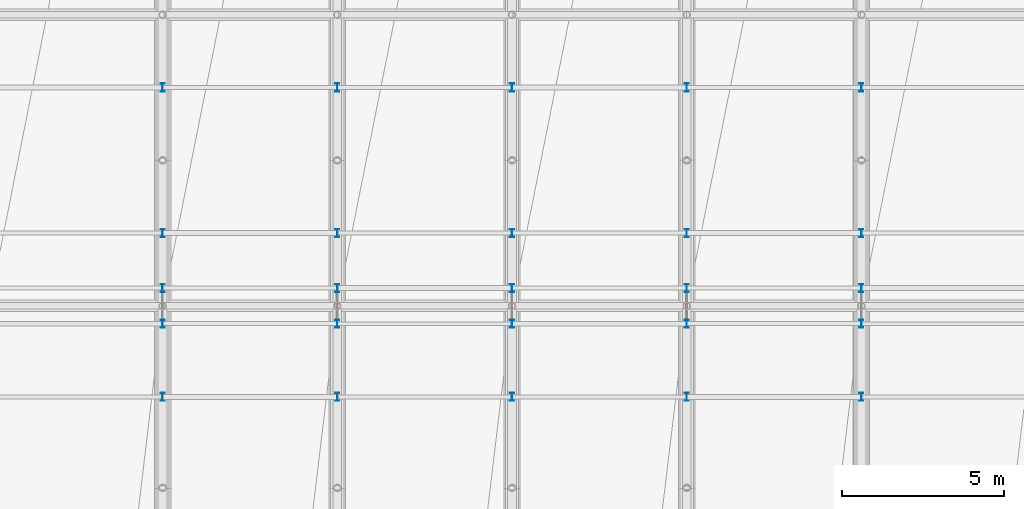
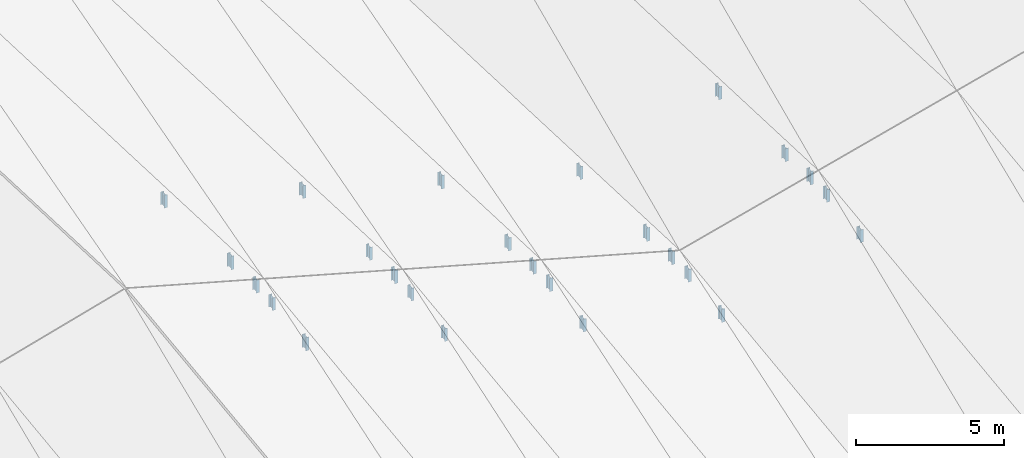
# One storey, part 69 of 109: 25 members.
"""IFC4 building model written with IfcOpenShell, lengths in metres."""

from ifc_helpers import new_model, si_unit, direction, frame, origin, origin_2d, place, context, subcontext, project, spatial, i_section, extrude, material, material_profile, profile_set, type_object, element, save


model = new_model("IFC4")

# Units and contexts
model_context = context("Model", 3, precision=1e-05, world=origin(), true_north=direction((0.0, 1.0)))
body_context = subcontext(model_context, "Body", "Model", "MODEL_VIEW")
ifc_project = project(units=[si_unit("LENGTHUNIT", "METRE"), si_unit("AREAUNIT", "SQUARE_METRE"), si_unit("VOLUMEUNIT", "CUBIC_METRE"), si_unit("PLANEANGLEUNIT", "RADIAN"), si_unit("MASSUNIT", "GRAM", prefix="KILO")], contexts=[model_context])

# Site, building, storey
site_placement = place(None, origin())
site = spatial("IfcSite", under=ifc_project, at=site_placement, CompositionType="ELEMENT")
building_placement = place(site_placement, origin())
building = spatial("IfcBuilding", under=site, at=building_placement, Name="Suirenkawa Promenade Aquatics Centre", CompositionType="ELEMENT")
storey_placement = place(building_placement, frame((0.0, 0.0, 22.800048828125)))
storey = spatial("IfcBuildingStorey", under=building, at=storey_placement, Name="ROOF", CompositionType="ELEMENT", Elevation=22.800048828125)

# Members
ifc_material = material(Name="Steel IS 2062 E350 (Grade 350)", Category="steel")
ifc_material_profile = material_profile(ifc_material, i_section(OverallWidth=0.125, OverallDepth=0.25, WebThickness=0.007080078125, FlangeThickness=0.012939453125, at=origin_2d()), Name="ISMB 250", Category="steel")
ifc_profile_set = profile_set([ifc_material_profile], Name="Steel IS 2062 E350 (Grade 350)")
member_type = type_object("IfcMemberType", Name="MT-WEB-CHS168", PredefinedType="BRACE", material=ifc_profile_set)
member_1_placement = place(storey_placement, frame((73.800048828125, 92.587890625, -5.281982421875), z_axis=(0.0, 0.0, 1.0), x_axis=(1.0, 0.0, 0.0)))
element("IfcMember", 1, at=member_1_placement, inside=storey, type_object=member_type, Name="ROOF TRUSS Purlin cleat post TD-03 MB-1848", PredefinedType="BRACE", context=body_context, shape_type="SweptSolid", body=[
    extrude(i_section(OverallWidth=0.125, OverallDepth=0.25, WebThickness=0.007080078125, FlangeThickness=0.012939453125, at=origin_2d()), origin(), (0.0, 0.0, 1.0), 0.5458984375),
])
member_2_placement = place(storey_placement, frame((73.800048828125, 94.85009765625, -4.990966796875), z_axis=(0.0, 0.0, 1.0), x_axis=(1.0, 0.0, 0.0)))
element("IfcMember", 2, at=member_2_placement, inside=storey, type_object=member_type, Name="ROOF TRUSS Purlin cleat post TD-03 MB-1850", PredefinedType="BRACE", context=body_context, shape_type="SweptSolid", body=[
    extrude(i_section(OverallWidth=0.125, OverallDepth=0.25, WebThickness=0.007080078125, FlangeThickness=0.012939453125, at=origin_2d()), origin(), (0.0, 0.0, 1.0), 0.518798828125),
])
member_3_placement = place(storey_placement, frame((73.800048828125, 95.949951171875, -4.942138671875), z_axis=(0.0, 0.0, 1.0), x_axis=(1.0, 0.0, 0.0)))
element("IfcMember", 3, at=member_3_placement, inside=storey, type_object=member_type, Name="ROOF TRUSS Purlin cleat post TD-03 MB-1852", PredefinedType="BRACE", context=body_context, shape_type="SweptSolid", body=[
    extrude(i_section(OverallWidth=0.125, OverallDepth=0.25, WebThickness=0.007080078125, FlangeThickness=0.012939453125, at=origin_2d()), origin(), (0.0, 0.0, 1.0), 0.528076171875),
])
member_4_placement = place(storey_placement, frame((73.800048828125, 97.64990234375, -5.011962890625), z_axis=(0.0, 0.0, 1.0), x_axis=(1.0, 0.0, 0.0)))
element("IfcMember", 4, at=member_4_placement, inside=storey, type_object=member_type, Name="ROOF TRUSS Purlin cleat post TD-03 MB-1854", PredefinedType="BRACE", context=body_context, shape_type="SweptSolid", body=[
    extrude(i_section(OverallWidth=0.125, OverallDepth=0.25, WebThickness=0.007080078125, FlangeThickness=0.012939453125, at=origin_2d()), origin(), (0.0, 0.0, 1.0), 0.553955078125),
])
member_5_placement = place(storey_placement, frame((73.800048828125, 102.14990234375, -5.195068359375), z_axis=(0.0, 0.0, 1.0), x_axis=(1.0, 0.0, 0.0)))
element("IfcMember", 5, at=member_5_placement, inside=storey, type_object=member_type, Name="ROOF TRUSS Purlin cleat post TD-03 MB-1856", PredefinedType="BRACE", context=body_context, shape_type="SweptSolid", body=[
    extrude(i_section(OverallWidth=0.125, OverallDepth=0.25, WebThickness=0.007080078125, FlangeThickness=0.012939453125, at=origin_2d()), origin(), (0.0, 0.0, 1.0), 0.528076171875),
])
member_6_placement = place(storey_placement, frame((79.199951171875, 92.587890625, -6.781982421875), z_axis=(0.0, 0.0, 1.0), x_axis=(1.0, 0.0, 0.0)))
element("IfcMember", 6, at=member_6_placement, inside=storey, type_object=member_type, Name="ROOF TRUSS Purlin cleat post TD-03 MB-1884", PredefinedType="BRACE", context=body_context, shape_type="SweptSolid", body=[
    extrude(i_section(OverallWidth=0.125, OverallDepth=0.25, WebThickness=0.007080078125, FlangeThickness=0.012939453125, at=origin_2d()), origin(), (0.0, 0.0, 1.0), 0.51904296875),
])
member_7_placement = place(storey_placement, frame((79.199951171875, 94.85009765625, -6.490966796875), z_axis=(0.0, 0.0, 1.0), x_axis=(1.0, 0.0, 0.0)))
element("IfcMember", 7, at=member_7_placement, inside=storey, type_object=member_type, Name="ROOF TRUSS Purlin cleat post TD-03 MB-1886", PredefinedType="BRACE", context=body_context, shape_type="SweptSolid", body=[
    extrude(i_section(OverallWidth=0.125, OverallDepth=0.25, WebThickness=0.007080078125, FlangeThickness=0.012939453125, at=origin_2d()), origin(), (0.0, 0.0, 1.0), 0.52099609375),
])
member_8_placement = place(storey_placement, frame((79.199951171875, 95.949951171875, -6.442138671875), z_axis=(0.0, 0.0, 1.0), x_axis=(1.0, 0.0, 0.0)))
element("IfcMember", 8, at=member_8_placement, inside=storey, type_object=member_type, Name="ROOF TRUSS Purlin cleat post TD-03 MB-1888", PredefinedType="BRACE", context=body_context, shape_type="SweptSolid", body=[
    extrude(i_section(OverallWidth=0.125, OverallDepth=0.25, WebThickness=0.007080078125, FlangeThickness=0.012939453125, at=origin_2d()), origin(), (0.0, 0.0, 1.0), 0.552978515625),
])
member_9_placement = place(storey_placement, frame((79.199951171875, 97.64990234375, -6.511962890625), z_axis=(0.0, 0.0, 1.0), x_axis=(1.0, 0.0, 0.0)))
element("IfcMember", 9, at=member_9_placement, inside=storey, type_object=member_type, Name="ROOF TRUSS Purlin cleat post TD-03 MB-1890", PredefinedType="BRACE", context=body_context, shape_type="SweptSolid", body=[
    extrude(i_section(OverallWidth=0.125, OverallDepth=0.25, WebThickness=0.007080078125, FlangeThickness=0.012939453125, at=origin_2d()), origin(), (0.0, 0.0, 1.0), 0.52783203125),
])
member_10_placement = place(storey_placement, frame((79.199951171875, 102.14990234375, -6.695068359375), z_axis=(0.0, 0.0, 1.0), x_axis=(1.0, 0.0, 0.0)))
element("IfcMember", 10, at=member_10_placement, inside=storey, type_object=member_type, Name="ROOF TRUSS Purlin cleat post TD-03 MB-1892", PredefinedType="BRACE", context=body_context, shape_type="SweptSolid", body=[
    extrude(i_section(OverallWidth=0.125, OverallDepth=0.25, WebThickness=0.007080078125, FlangeThickness=0.012939453125, at=origin_2d()), origin(), (0.0, 0.0, 1.0), 0.528076171875),
])
member_11_placement = place(storey_placement, frame((84.60009765625, 92.587890625, -8.281982421875), z_axis=(0.0, 0.0, 1.0), x_axis=(1.0, 0.0, 0.0)))
element("IfcMember", 11, at=member_11_placement, inside=storey, type_object=member_type, Name="ROOF TRUSS Purlin cleat post TD-03 MB-1920", PredefinedType="BRACE", context=body_context, shape_type="SweptSolid", body=[
    extrude(i_section(OverallWidth=0.125, OverallDepth=0.25, WebThickness=0.007080078125, FlangeThickness=0.012939453125, at=origin_2d()), origin(), (0.0, 0.0, 1.0), 0.52099609375),
])
member_12_placement = place(storey_placement, frame((84.60009765625, 94.85009765625, -7.990966796875), z_axis=(0.0, 0.0, 1.0), x_axis=(1.0, 0.0, 0.0)))
element("IfcMember", 12, at=member_12_placement, inside=storey, type_object=member_type, Name="ROOF TRUSS Purlin cleat post TD-03 MB-1922", PredefinedType="BRACE", context=body_context, shape_type="SweptSolid", body=[
    extrude(i_section(OverallWidth=0.125, OverallDepth=0.25, WebThickness=0.007080078125, FlangeThickness=0.012939453125, at=origin_2d()), origin(), (0.0, 0.0, 1.0), 0.5458984375),
])
member_13_placement = place(storey_placement, frame((84.60009765625, 95.949951171875, -7.942138671875), z_axis=(0.0, 0.0, 1.0), x_axis=(1.0, 0.0, 0.0)))
element("IfcMember", 13, at=member_13_placement, inside=storey, type_object=member_type, Name="ROOF TRUSS Purlin cleat post TD-03 MB-1924", PredefinedType="BRACE", context=body_context, shape_type="SweptSolid", body=[
    extrude(i_section(OverallWidth=0.125, OverallDepth=0.25, WebThickness=0.007080078125, FlangeThickness=0.012939453125, at=origin_2d()), origin(), (0.0, 0.0, 1.0), 0.527099609375),
])
member_14_placement = place(storey_placement, frame((84.60009765625, 97.64990234375, -8.011962890625), z_axis=(0.0, 0.0, 1.0), x_axis=(1.0, 0.0, 0.0)))
element("IfcMember", 14, at=member_14_placement, inside=storey, type_object=member_type, Name="ROOF TRUSS Purlin cleat post TD-03 MB-1926", PredefinedType="BRACE", context=body_context, shape_type="SweptSolid", body=[
    extrude(i_section(OverallWidth=0.125, OverallDepth=0.25, WebThickness=0.007080078125, FlangeThickness=0.012939453125, at=origin_2d()), origin(), (0.0, 0.0, 1.0), 0.52880859375),
])
member_15_placement = place(storey_placement, frame((84.60009765625, 102.14990234375, -8.195068359375), z_axis=(0.0, 0.0, 1.0), x_axis=(1.0, 0.0, 0.0)))
element("IfcMember", 15, at=member_15_placement, inside=storey, type_object=member_type, Name="ROOF TRUSS Purlin cleat post TD-03 MB-1928", PredefinedType="BRACE", context=body_context, shape_type="SweptSolid", body=[
    extrude(i_section(OverallWidth=0.125, OverallDepth=0.25, WebThickness=0.007080078125, FlangeThickness=0.012939453125, at=origin_2d()), origin(), (0.0, 0.0, 1.0), 0.552978515625),
])
member_16_placement = place(storey_placement, frame((90.0, 92.587890625, -9.781982421875), z_axis=(0.0, 0.0, 1.0), x_axis=(1.0, 0.0, 0.0)))
element("IfcMember", 16, at=member_16_placement, inside=storey, type_object=member_type, Name="ROOF TRUSS Purlin cleat post TD-03 MB-1956", PredefinedType="BRACE", context=body_context, shape_type="SweptSolid", body=[
    extrude(i_section(OverallWidth=0.125, OverallDepth=0.25, WebThickness=0.007080078125, FlangeThickness=0.012939453125, at=origin_2d()), origin(), (0.0, 0.0, 1.0), 0.5458984375),
])
member_17_placement = place(storey_placement, frame((90.0, 94.85009765625, -9.490966796875), z_axis=(0.0, 0.0, 1.0), x_axis=(1.0, 0.0, 0.0)))
element("IfcMember", 17, at=member_17_placement, inside=storey, type_object=member_type, Name="ROOF TRUSS Purlin cleat post TD-03 MB-1958", PredefinedType="BRACE", context=body_context, shape_type="SweptSolid", body=[
    extrude(i_section(OverallWidth=0.125, OverallDepth=0.25, WebThickness=0.007080078125, FlangeThickness=0.012939453125, at=origin_2d()), origin(), (0.0, 0.0, 1.0), 0.52001953125),
])
member_18_placement = place(storey_placement, frame((90.0, 95.949951171875, -9.442138671875), z_axis=(0.0, 0.0, 1.0), x_axis=(1.0, 0.0, 0.0)))
element("IfcMember", 18, at=member_18_placement, inside=storey, type_object=member_type, Name="ROOF TRUSS Purlin cleat post TD-03 MB-1960", PredefinedType="BRACE", context=body_context, shape_type="SweptSolid", body=[
    extrude(i_section(OverallWidth=0.125, OverallDepth=0.25, WebThickness=0.007080078125, FlangeThickness=0.012939453125, at=origin_2d()), origin(), (0.0, 0.0, 1.0), 0.528076171875),
])
member_19_placement = place(storey_placement, frame((90.0, 97.64990234375, -9.511962890625), z_axis=(0.0, 0.0, 1.0), x_axis=(1.0, 0.0, 0.0)))
element("IfcMember", 19, at=member_19_placement, inside=storey, type_object=member_type, Name="ROOF TRUSS Purlin cleat post TD-03 MB-1962", PredefinedType="BRACE", context=body_context, shape_type="SweptSolid", body=[
    extrude(i_section(OverallWidth=0.125, OverallDepth=0.25, WebThickness=0.007080078125, FlangeThickness=0.012939453125, at=origin_2d()), origin(), (0.0, 0.0, 1.0), 0.553955078125),
])
member_20_placement = place(storey_placement, frame((90.0, 102.14990234375, -9.695068359375), z_axis=(0.0, 0.0, 1.0), x_axis=(1.0, 0.0, 0.0)))
element("IfcMember", 20, at=member_20_placement, inside=storey, type_object=member_type, Name="ROOF TRUSS Purlin cleat post TD-03 MB-1964", PredefinedType="BRACE", context=body_context, shape_type="SweptSolid", body=[
    extrude(i_section(OverallWidth=0.125, OverallDepth=0.25, WebThickness=0.007080078125, FlangeThickness=0.012939453125, at=origin_2d()), origin(), (0.0, 0.0, 1.0), 0.528076171875),
])
member_21_placement = place(storey_placement, frame((95.39990234375, 92.587890625, -8.382080078125), z_axis=(0.0, 0.0, 1.0), x_axis=(1.0, 0.0, 0.0)))
element("IfcMember", 21, at=member_21_placement, inside=storey, type_object=member_type, Name="ROOF TRUSS Purlin cleat post TD-03 MB-1992", PredefinedType="BRACE", context=body_context, shape_type="SweptSolid", body=[
    extrude(i_section(OverallWidth=0.125, OverallDepth=0.25, WebThickness=0.007080078125, FlangeThickness=0.012939453125, at=origin_2d()), origin(), (0.0, 0.0, 1.0), 0.51904296875),
])
member_22_placement = place(storey_placement, frame((95.39990234375, 94.85009765625, -8.091064453125), z_axis=(0.0, 0.0, 1.0), x_axis=(1.0, 0.0, 0.0)))
element("IfcMember", 22, at=member_22_placement, inside=storey, type_object=member_type, Name="ROOF TRUSS Purlin cleat post TD-03 MB-1994", PredefinedType="BRACE", context=body_context, shape_type="SweptSolid", body=[
    extrude(i_section(OverallWidth=0.125, OverallDepth=0.25, WebThickness=0.007080078125, FlangeThickness=0.012939453125, at=origin_2d()), origin(), (0.0, 0.0, 1.0), 0.52099609375),
])
member_23_placement = place(storey_placement, frame((95.39990234375, 95.949951171875, -8.0419921875), z_axis=(0.0, 0.0, 1.0), x_axis=(1.0, 0.0, 0.0)))
element("IfcMember", 23, at=member_23_placement, inside=storey, type_object=member_type, Name="ROOF TRUSS Purlin cleat post TD-03 MB-1996", PredefinedType="BRACE", context=body_context, shape_type="SweptSolid", body=[
    extrude(i_section(OverallWidth=0.125, OverallDepth=0.25, WebThickness=0.007080078125, FlangeThickness=0.012939453125, at=origin_2d()), origin(), (0.0, 0.0, 1.0), 0.552978515625),
])
for number, where, z_axis, x_axis, name in (
    (24, (95.39990234375, 97.64990234375, -8.112060546875), (0.0, 0.0, 1.0), (1.0, 0.0, 0.0), "ROOF TRUSS Purlin cleat post TD-03 MB-1998"),
    (25, (95.39990234375, 102.14990234375, -8.295166015625), (0.0, 0.0, 1.0), (1.0, 0.0, 0.0), "ROOF TRUSS Purlin cleat post TD-03 MB-2000"),
):
    element("IfcMember", number, at=place(storey_placement, frame(where, z_axis=z_axis, x_axis=x_axis)), inside=storey, type_object=member_type, Name=name, PredefinedType="BRACE", context=body_context, shape_type="SweptSolid", body=[
        extrude(i_section(OverallWidth=0.125, OverallDepth=0.25, WebThickness=0.007080078125, FlangeThickness=0.012939453125, at=origin_2d()), origin(), (0.0, 0.0, 1.0), 0.528076171875),
    ])

save(model, "model.ifc")
